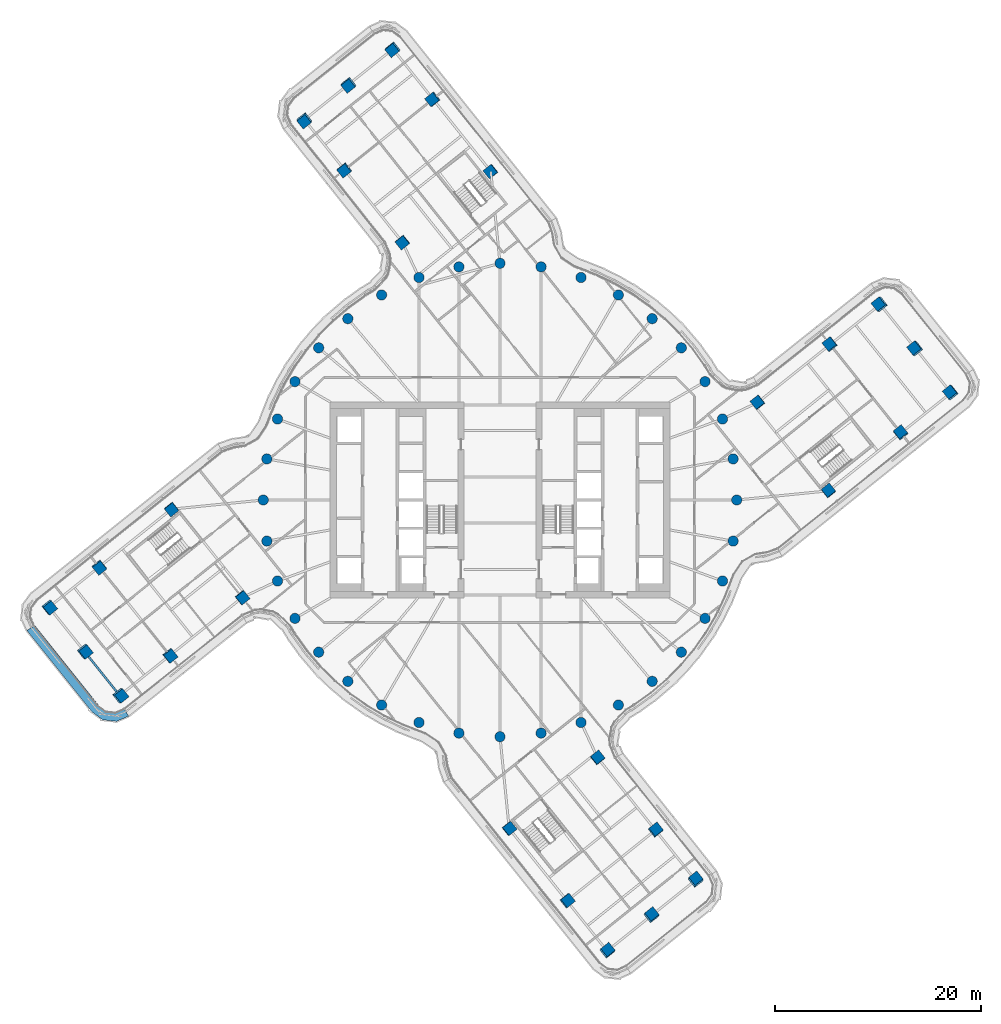
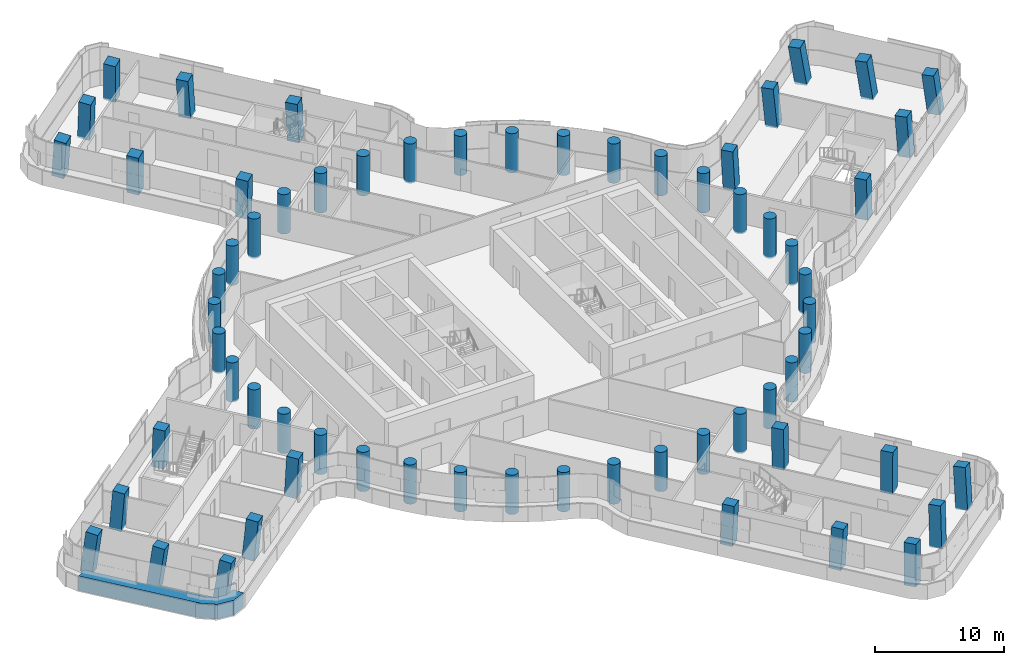
# One storey, part 1 of 31: 64 columns, 1 beam, 1 member, 1 element without a shape of its own.
"""IFC4 building model written with IfcOpenShell, lengths in metres."""

from ifc_helpers import new_model, si_unit, direction, frame, origin, origin_2d, place, context, subcontext, project, spatial, polyline, rectangle, circle, i_section, outline, extrude, material, layer, layer_set, material_profile, profile_set, type_object, element, aggregate, save


model = new_model("IFC4")

# Units and contexts
model_context = context("Model", 3, precision=1e-05, world=origin(), true_north=direction((0.0, 1.0)))
body_context = subcontext(model_context, "Body", "Model", "MODEL_VIEW")
ifc_project = project(units=[si_unit("LENGTHUNIT", "METRE"), si_unit("AREAUNIT", "SQUARE_METRE"), si_unit("VOLUMEUNIT", "CUBIC_METRE"), si_unit("PLANEANGLEUNIT", "RADIAN"), si_unit("MASSUNIT", "GRAM", prefix="KILO")], contexts=[model_context])

# Site, building, storey
site_placement = place(None, origin())
site = spatial("IfcSite", under=ifc_project, at=site_placement, CompositionType="ELEMENT")
building_placement = place(site_placement, origin())
building = spatial("IfcBuilding", under=site, at=building_placement, Name="Tamarind Cross Interchange Tower", CompositionType="ELEMENT")
storey_placement = place(building_placement, frame((0.0, 0.0, 174.25)))
storey = spatial("IfcBuildingStorey", under=building, at=storey_placement, Name="L43", CompositionType="ELEMENT", Elevation=174.25)

# Columns
ifc_material_1 = material(Name="Concrete C60", Category="concrete")
ifc_material_profile_1 = material_profile(ifc_material_1, rectangle(XDim=1.0, YDim=1.0, at=origin_2d()), Name="RC 1000x1000")
ifc_profile_set_1 = profile_set([ifc_material_profile_1], Name="Concrete C60")
column_type_1 = type_object("IfcColumnType", Name="Column RC 1000x1000 Concrete C60", PredefinedType="COLUMN", material=ifc_profile_set_1)
for number, where, z_axis, x_axis, name in (
    (1, (32.07373046875, 15.101806640625, -0.138427734375), (-0.074417174397, 0.048642131755, 0.996040173474), (0.621696196821, -0.778689641632, 0.084476510773), "Column L43-036"),
    (2, (38.945068359375, 6.511962890625, -0.138427734375), (-0.032648425493, 0.082678502615, 0.996041337254), (-0.781269198819, -0.623645872641, 0.026158450166), "Column L43-037"),
):
    element("IfcColumn", number, at=place(storey_placement, frame(where, z_axis=z_axis, x_axis=x_axis)), inside=storey, type_object=column_type_1, Name=name, PredefinedType="COLUMN", context=body_context, shape_type="SweptSolid", body=[
        extrude(rectangle(XDim=1.0, YDim=1.0, at=origin_2d()), origin(), (0.0, 0.0, 1.0), 3.694091796875),
    ])
for number, where, z_axis, x_axis, name in (
    (3, (25.045654296875, 9.479736328125, -0.138671875), (-0.04664661088, 0.014535771096, 0.998805689337), (0.623471160902, -0.780797686808, 0.040480659568), "Column L43-038"),
    (4, (31.9169921875, 0.889892578125, -0.138671875), (-0.004823231147, 0.048628741423, 0.998805277293), (-0.780795594874, -0.624219168188, 0.02662083941), "Column L43-039"),
):
    element("IfcColumn", number, at=place(storey_placement, frame(where, z_axis=z_axis, x_axis=x_axis)), inside=storey, type_object=column_type_1, Name=name, PredefinedType="COLUMN", context=body_context, shape_type="SweptSolid", body=[
        extrude(rectangle(XDim=1.0, YDim=1.0, at=origin_2d()), origin(), (0.0, 0.0, 1.0), 3.695068359375),
    ])
column_1_placement = place(storey_placement, frame((43.814453125, 10.4072265625, -0.13818359375), z_axis=(-0.106764118851, 0.060253017569, 0.992457050355), x_axis=(0.618495679922, -0.777513105357, 0.11373858147)))
element("IfcColumn", 5, at=column_1_placement, inside=storey, type_object=column_type_1, Name="Column L43-040", PredefinedType="COLUMN", context=body_context, shape_type="SweptSolid", body=[
    extrude(rectangle(XDim=1.0, YDim=1.0, at=origin_2d()), origin(), (0.0, 0.0, 1.0), 3.6953125),
])
column_2_placement = place(storey_placement, frame((40.378662109375, 14.7021484375, -0.137939453125), z_axis=(-0.127350566507, 0.043221209391, 0.990915617128), x_axis=(0.617415659329, -0.778434627455, 0.11330240242)))
element("IfcColumn", 6, at=column_2_placement, inside=storey, type_object=column_type_1, Name="Column L43-041", PredefinedType="COLUMN", context=body_context, shape_type="SweptSolid", body=[
    extrude(rectangle(XDim=1.0, YDim=1.0, at=origin_2d()), origin(), (0.0, 0.0, 1.0), 3.694091796875),
])
column_3_placement = place(storey_placement, frame((36.94287109375, 18.996826171875, -0.137939453125), z_axis=(-0.147759451277, 0.026288896562, 0.988673878726), x_axis=(0.616024207705, -0.77960966759, 0.112796018195)))
element("IfcColumn", 7, at=column_3_placement, inside=storey, type_object=column_type_1, Name="Column L43-042", PredefinedType="COLUMN", context=body_context, shape_type="SweptSolid", body=[
    extrude(rectangle(XDim=1.0, YDim=1.0, at=origin_2d()), origin(), (0.0, 0.0, 1.0), 3.696044921875),
])
column_4_placement = place(storey_placement, frame((-15.101806640625, 32.07373046875, -0.138427734375), z_axis=(-0.048600262779, -0.074410942876, 0.99604268284), x_axis=(0.778469593392, 0.621975340854, 0.084449792978)))
element("IfcColumn", 8, at=column_4_placement, inside=storey, type_object=column_type_1, Name="Column L43-043", PredefinedType="COLUMN", context=body_context, shape_type="SweptSolid", body=[
    extrude(rectangle(XDim=1.0, YDim=1.0, at=origin_2d()), origin(), (0.0, 0.0, 1.0), 3.71728515625),
])
column_5_placement = place(storey_placement, frame((-6.511962890625, 38.945068359375, -0.138427734375), z_axis=(-0.08263156344, -0.032645379197, 0.996045332272), x_axis=(0.623773642525, -0.781167630894, 0.026145273657)))
element("IfcColumn", 9, at=column_5_placement, inside=storey, type_object=column_type_1, Name="Column L43-044", PredefinedType="COLUMN", context=body_context, shape_type="SweptSolid", body=[
    extrude(rectangle(XDim=1.0, YDim=1.0, at=origin_2d()), origin(), (0.0, 0.0, 1.0), 3.716796875),
])
for number, where, z_axis, x_axis, name in (
    (10, (-9.479736328125, 25.045654296875, -0.138671875), (-0.014481164996, -0.046668845375, 0.998805443884), (0.780047471785, 0.624409257926, 0.040484816638), "Column L43-045"),
    (11, (-0.889892578125, 31.9169921875, -0.138671875), (-0.048643510807, -0.004805109999, 0.998804645451), (0.623907443279, -0.781044466446, 0.026627873635), "Column L43-046"),
):
    element("IfcColumn", number, at=place(storey_placement, frame(where, z_axis=z_axis, x_axis=x_axis)), inside=storey, type_object=column_type_1, Name=name, PredefinedType="COLUMN", context=body_context, shape_type="SweptSolid", body=[
        extrude(rectangle(XDim=1.0, YDim=1.0, at=origin_2d()), origin(), (0.0, 0.0, 1.0), 3.708984375),
    ])
column_6_placement = place(storey_placement, frame((-10.4072265625, 43.814453125, -0.13818359375), z_axis=(-0.060236073551, -0.106823886428, 0.992451647554), x_axis=(0.777288024238, 0.618771065533, 0.113779153781)))
element("IfcColumn", 12, at=column_6_placement, inside=storey, type_object=column_type_1, Name="Column L43-047", PredefinedType="COLUMN", context=body_context, shape_type="SweptSolid", body=[
    extrude(rectangle(XDim=1.0, YDim=1.0, at=origin_2d()), origin(), (0.0, 0.0, 1.0), 3.720703125),
])
column_7_placement = place(storey_placement, frame((-14.7021484375, 40.378662109375, -0.137939453125), z_axis=(-0.043228273768, -0.127392412848, 0.990909930062), x_axis=(0.778402065808, 0.617450232543, 0.113337700161)))
element("IfcColumn", 13, at=column_7_placement, inside=storey, type_object=column_type_1, Name="Column L43-048", PredefinedType="COLUMN", context=body_context, shape_type="SweptSolid", body=[
    extrude(rectangle(XDim=1.0, YDim=1.0, at=origin_2d()), origin(), (0.0, 0.0, 1.0), 3.7275390625),
])
column_8_placement = place(storey_placement, frame((-18.996826171875, 36.94287109375, -0.137939453125), z_axis=(-0.026261824308, -0.147771757676, 0.988672758913), x_axis=(0.77949125968, 0.616173014348, 0.112801562366)))
element("IfcColumn", 14, at=column_8_placement, inside=storey, type_object=column_type_1, Name="Column L43-049", PredefinedType="COLUMN", context=body_context, shape_type="SweptSolid", body=[
    extrude(rectangle(XDim=1.0, YDim=1.0, at=origin_2d()), origin(), (0.0, 0.0, 1.0), 3.737060546875),
])
column_9_placement = place(storey_placement, frame((-32.07373046875, -15.101806640625, -0.138427734375), z_axis=(0.074410942876, -0.048600262779, 0.99604268284), x_axis=(-0.621975340854, 0.778469593392, 0.084449792978)))
element("IfcColumn", 15, at=column_9_placement, inside=storey, type_object=column_type_1, Name="Column L43-050", PredefinedType="COLUMN", context=body_context, shape_type="SweptSolid", body=[
    extrude(rectangle(XDim=1.0, YDim=1.0, at=origin_2d()), origin(), (0.0, 0.0, 1.0), 3.71728515625),
])
column_10_placement = place(storey_placement, frame((-38.945068359375, -6.511962890625, -0.138427734375), z_axis=(0.032645379197, -0.08263156344, 0.996045332272), x_axis=(0.781167630894, 0.623773642525, 0.026145273657)))
element("IfcColumn", 16, at=column_10_placement, inside=storey, type_object=column_type_1, Name="Column L43-051", PredefinedType="COLUMN", context=body_context, shape_type="SweptSolid", body=[
    extrude(rectangle(XDim=1.0, YDim=1.0, at=origin_2d()), origin(), (0.0, 0.0, 1.0), 3.716796875),
])
for number, where, z_axis, x_axis, name in (
    (17, (-25.045654296875, -9.479736328125, -0.138671875), (0.046668845375, -0.014481164996, 0.998805443884), (-0.624409257926, 0.780047471785, 0.040484816638), "Column L43-052"),
    (18, (-31.9169921875, -0.889892578125, -0.138671875), (0.004805109999, -0.048643510807, 0.998804645451), (0.781044466446, 0.623907443279, 0.026627873635), "Column L43-053"),
):
    element("IfcColumn", number, at=place(storey_placement, frame(where, z_axis=z_axis, x_axis=x_axis)), inside=storey, type_object=column_type_1, Name=name, PredefinedType="COLUMN", context=body_context, shape_type="SweptSolid", body=[
        extrude(rectangle(XDim=1.0, YDim=1.0, at=origin_2d()), origin(), (0.0, 0.0, 1.0), 3.708984375),
    ])
column_11_placement = place(storey_placement, frame((-43.814453125, -10.4072265625, -0.13818359375), z_axis=(0.106823886428, -0.060236073551, 0.992451647554), x_axis=(-0.618771065533, 0.777288024238, 0.113779153781)))
element("IfcColumn", 19, at=column_11_placement, inside=storey, type_object=column_type_1, Name="Column L43-054", PredefinedType="COLUMN", context=body_context, shape_type="SweptSolid", body=[
    extrude(rectangle(XDim=1.0, YDim=1.0, at=origin_2d()), origin(), (0.0, 0.0, 1.0), 3.720703125),
])
column_12_placement = place(storey_placement, frame((-40.378662109375, -14.7021484375, -0.137939453125), z_axis=(0.127392412848, -0.043228273768, 0.990909930062), x_axis=(-0.617450232543, 0.778402065808, 0.113337700161)))
element("IfcColumn", 20, at=column_12_placement, inside=storey, type_object=column_type_1, Name="Column L43-055", PredefinedType="COLUMN", context=body_context, shape_type="SweptSolid", body=[
    extrude(rectangle(XDim=1.0, YDim=1.0, at=origin_2d()), origin(), (0.0, 0.0, 1.0), 3.7275390625),
])
column_13_placement = place(storey_placement, frame((-36.94287109375, -18.996826171875, -0.137939453125), z_axis=(0.147771757676, -0.026261824308, 0.988672758913), x_axis=(-0.616173014348, 0.77949125968, 0.112801562366)))
element("IfcColumn", 21, at=column_13_placement, inside=storey, type_object=column_type_1, Name="Column L43-056", PredefinedType="COLUMN", context=body_context, shape_type="SweptSolid", body=[
    extrude(rectangle(XDim=1.0, YDim=1.0, at=origin_2d()), origin(), (0.0, 0.0, 1.0), 3.737060546875),
])
column_14_placement = place(storey_placement, frame((15.101806640625, -32.07373046875, -0.138427734375), z_axis=(0.048600262779, 0.074410942876, 0.99604268284), x_axis=(-0.778469593392, -0.621975340854, 0.084449792978)))
element("IfcColumn", 22, at=column_14_placement, inside=storey, type_object=column_type_1, Name="Column L43-057", PredefinedType="COLUMN", context=body_context, shape_type="SweptSolid", body=[
    extrude(rectangle(XDim=1.0, YDim=1.0, at=origin_2d()), origin(), (0.0, 0.0, 1.0), 3.71728515625),
])
column_15_placement = place(storey_placement, frame((6.511962890625, -38.945068359375, -0.138427734375), z_axis=(0.08263156344, 0.032645379197, 0.996045332272), x_axis=(-0.623773642525, 0.781167630894, 0.026145273657)))
element("IfcColumn", 23, at=column_15_placement, inside=storey, type_object=column_type_1, Name="Column L43-058", PredefinedType="COLUMN", context=body_context, shape_type="SweptSolid", body=[
    extrude(rectangle(XDim=1.0, YDim=1.0, at=origin_2d()), origin(), (0.0, 0.0, 1.0), 3.716796875),
])
for number, where, z_axis, x_axis, name in (
    (24, (9.479736328125, -25.045654296875, -0.138671875), (0.014481164996, 0.046668845375, 0.998805443884), (-0.780047471785, -0.624409257926, 0.040484816638), "Column L43-059"),
    (25, (0.889892578125, -31.9169921875, -0.138671875), (0.048643510807, 0.004805109999, 0.998804645451), (-0.623907443279, 0.781044466446, 0.026627873635), "Column L43-060"),
):
    element("IfcColumn", number, at=place(storey_placement, frame(where, z_axis=z_axis, x_axis=x_axis)), inside=storey, type_object=column_type_1, Name=name, PredefinedType="COLUMN", context=body_context, shape_type="SweptSolid", body=[
        extrude(rectangle(XDim=1.0, YDim=1.0, at=origin_2d()), origin(), (0.0, 0.0, 1.0), 3.708984375),
    ])
column_16_placement = place(storey_placement, frame((10.4072265625, -43.814453125, -0.13818359375), z_axis=(0.060236073551, 0.106823886428, 0.992451647554), x_axis=(-0.777288024238, -0.618771065533, 0.113779153781)))
element("IfcColumn", 26, at=column_16_placement, inside=storey, type_object=column_type_1, Name="Column L43-061", PredefinedType="COLUMN", context=body_context, shape_type="SweptSolid", body=[
    extrude(rectangle(XDim=1.0, YDim=1.0, at=origin_2d()), origin(), (0.0, 0.0, 1.0), 3.720703125),
])
column_17_placement = place(storey_placement, frame((14.7021484375, -40.378662109375, -0.137939453125), z_axis=(0.043228273768, 0.127392412848, 0.990909930062), x_axis=(-0.778402065808, -0.617450232543, 0.113337700161)))
element("IfcColumn", 27, at=column_17_placement, inside=storey, type_object=column_type_1, Name="Column L43-062", PredefinedType="COLUMN", context=body_context, shape_type="SweptSolid", body=[
    extrude(rectangle(XDim=1.0, YDim=1.0, at=origin_2d()), origin(), (0.0, 0.0, 1.0), 3.7275390625),
])
column_18_placement = place(storey_placement, frame((18.996826171875, -36.94287109375, -0.137939453125), z_axis=(0.026261824308, 0.147771757676, 0.988672758913), x_axis=(-0.77949125968, -0.616173014348, 0.112801562366)))
element("IfcColumn", 28, at=column_18_placement, inside=storey, type_object=column_type_1, Name="Column L43-063", PredefinedType="COLUMN", context=body_context, shape_type="SweptSolid", body=[
    extrude(rectangle(XDim=1.0, YDim=1.0, at=origin_2d()), origin(), (0.0, 0.0, 1.0), 3.737060546875),
])
ifc_material_profile_2 = material_profile(ifc_material_1, circle(Radius=0.5, at=origin_2d()), Name="RC D1000")
ifc_profile_set_2 = profile_set([ifc_material_profile_2], Name="Concrete C60")
column_type_2 = type_object("IfcColumnType", Name="Column RC D1000 Concrete C60", PredefinedType="COLUMN", material=ifc_profile_set_2)
for number, where, z_axis, x_axis, name in (
    (29, (23.0, 0.0, -0.139892578125), (0.0, 0.0, 1.0), (1.0, 0.0, 0.0), "Column L43-000"),
    (30, (22.650634765625, 3.993896484375, -0.139892578125), (0.0, 0.0, 1.0), (1.0, 0.0, 0.0), "Column L43-001"),
    (31, (21.613037109375, 7.866455078125, -0.139892578125), (0.0, 0.0, 1.0), (1.0, 0.0, 0.0), "Column L43-002"),
    (32, (19.918701171875, 11.5, -0.139892578125), (0.0, 0.0, 1.0), (1.0, 0.0, 0.0), "Column L43-003"),
    (33, (17.619140625, 14.7841796875, -0.139892578125), (0.0, 0.0, 1.0), (1.0, 0.0, 0.0), "Column L43-004"),
    (34, (14.7841796875, 17.619140625, -0.139892578125), (0.0, 0.0, 1.0), (1.0, 0.0, 0.0), "Column L43-005"),
    (35, (11.5, 19.918701171875, -0.139892578125), (0.0, 0.0, 1.0), (1.0, 0.0, 0.0), "Column L43-006"),
    (36, (7.866455078125, 21.613037109375, -0.139892578125), (0.0, 0.0, 1.0), (1.0, 0.0, 0.0), "Column L43-007"),
    (37, (3.993896484375, 22.650634765625, -0.139892578125), (0.0, 0.0, 1.0), (1.0, 0.0, 0.0), "Column L43-008"),
    (38, (0.0, 23.0, -0.139892578125), (0.0, 0.0, 1.0), (1.0, 0.0, 0.0), "Column L43-009"),
    (39, (-3.993896484375, 22.650634765625, -0.139892578125), (0.0, 0.0, 1.0), (1.0, 0.0, 0.0), "Column L43-010"),
    (40, (-7.866455078125, 21.613037109375, -0.139892578125), (0.0, 0.0, 1.0), (1.0, 0.0, 0.0), "Column L43-011"),
    (41, (-11.5, 19.918701171875, -0.139892578125), (0.0, 0.0, 1.0), (1.0, 0.0, 0.0), "Column L43-012"),
    (42, (-14.7841796875, 17.619140625, -0.139892578125), (0.0, 0.0, 1.0), (1.0, 0.0, 0.0), "Column L43-013"),
    (43, (-17.619140625, 14.7841796875, -0.139892578125), (0.0, 0.0, 1.0), (1.0, 0.0, 0.0), "Column L43-014"),
    (44, (-19.918701171875, 11.5, -0.139892578125), (0.0, 0.0, 1.0), (1.0, 0.0, 0.0), "Column L43-015"),
    (45, (-21.613037109375, 7.866455078125, -0.139892578125), (0.0, 0.0, 1.0), (1.0, 0.0, 0.0), "Column L43-016"),
    (46, (-22.650634765625, 3.993896484375, -0.139892578125), (0.0, 0.0, 1.0), (1.0, 0.0, 0.0), "Column L43-017"),
    (47, (-23.0, 0.0, -0.139892578125), (0.0, 0.0, 1.0), (1.0, 0.0, 0.0), "Column L43-018"),
    (48, (-22.650634765625, -3.993896484375, -0.139892578125), (0.0, 0.0, 1.0), (1.0, 0.0, 0.0), "Column L43-019"),
    (49, (-21.613037109375, -7.866455078125, -0.139892578125), (0.0, 0.0, 1.0), (1.0, 0.0, 0.0), "Column L43-020"),
    (50, (-19.918701171875, -11.5, -0.139892578125), (0.0, 0.0, 1.0), (1.0, 0.0, 0.0), "Column L43-021"),
    (51, (-17.619140625, -14.7841796875, -0.139892578125), (0.0, 0.0, 1.0), (1.0, 0.0, 0.0), "Column L43-022"),
    (52, (-14.7841796875, -17.619140625, -0.139892578125), (0.0, 0.0, 1.0), (1.0, 0.0, 0.0), "Column L43-023"),
    (53, (-11.5, -19.918701171875, -0.139892578125), (0.0, 0.0, 1.0), (1.0, 0.0, 0.0), "Column L43-024"),
    (54, (-7.866455078125, -21.613037109375, -0.139892578125), (0.0, 0.0, 1.0), (1.0, 0.0, 0.0), "Column L43-025"),
    (55, (-3.993896484375, -22.650634765625, -0.139892578125), (0.0, 0.0, 1.0), (1.0, 0.0, 0.0), "Column L43-026"),
    (56, (0.0, -23.0, -0.139892578125), (0.0, 0.0, 1.0), (1.0, 0.0, 0.0), "Column L43-027"),
    (57, (3.993896484375, -22.650634765625, -0.139892578125), (0.0, 0.0, 1.0), (1.0, 0.0, 0.0), "Column L43-028"),
    (58, (7.866455078125, -21.613037109375, -0.139892578125), (0.0, 0.0, 1.0), (1.0, 0.0, 0.0), "Column L43-029"),
    (59, (11.5, -19.918701171875, -0.139892578125), (0.0, 0.0, 1.0), (1.0, 0.0, 0.0), "Column L43-030"),
    (60, (14.7841796875, -17.619140625, -0.139892578125), (0.0, 0.0, 1.0), (1.0, 0.0, 0.0), "Column L43-031"),
    (61, (17.619140625, -14.7841796875, -0.139892578125), (0.0, 0.0, 1.0), (1.0, 0.0, 0.0), "Column L43-032"),
    (62, (19.918701171875, -11.5, -0.139892578125), (0.0, 0.0, 1.0), (1.0, 0.0, 0.0), "Column L43-033"),
    (63, (21.613037109375, -7.866455078125, -0.139892578125), (0.0, 0.0, 1.0), (1.0, 0.0, 0.0), "Column L43-034"),
    (64, (22.650634765625, -3.993896484375, -0.139892578125), (0.0, 0.0, 1.0), (1.0, 0.0, 0.0), "Column L43-035"),
):
    element("IfcColumn", number, at=place(storey_placement, frame(where, z_axis=z_axis, x_axis=x_axis)), inside=storey, type_object=column_type_2, Name=name, PredefinedType="COLUMN", context=body_context, shape_type="SweptSolid", body=[
        extrude(circle(Radius=0.5, at=origin_2d()), origin(), (0.0, 0.0, 1.0), 3.7099609375),
    ])

# Beam
ifc_material_2 = material(Name="Steel Q355B", Category="steel")
ifc_material_profile_3 = material_profile(ifc_material_2, i_section(OverallWidth=0.199951171875, OverallDepth=0.60009765625, WebThickness=0.010986328125, FlangeThickness=0.01708984375, FilletRadius=0.012939453125, at=origin_2d()), Name="HN 600x200x11x17")
ifc_profile_set_3 = profile_set([ifc_material_profile_3], Name="Steel Q355B")
beam_type = type_object("IfcBeamType", Name="Composite beam HN 600x200x11x17 Q355B", PredefinedType="BEAM", material=ifc_profile_set_3)
beam_placement = place(storey_placement, frame((-40.37890625, -14.701904296875, -0.43994140625), z_axis=(0.624651739578, -0.780903453855, 0.0), x_axis=(0.780903453855, 0.624651739578, 0.0)))
element("IfcBeam", 65, at=beam_placement, inside=storey, type_object=beam_type, Name="Beam W-tip1", PredefinedType="BEAM", context=body_context, shape_type="SweptSolid", body=[
    extrude(i_section(OverallWidth=0.199951171875, OverallDepth=0.60009765625, WebThickness=0.010986328125, FlangeThickness=0.01708984375, FilletRadius=0.012939453125, at=origin_2d()), origin(), (0.0, 0.0, 1.0), 5.5),
])

# Curtain wall, member
ifc_material_3 = material(Name="Aluminium 6063-T6", Category="aluminium")
ifc_layer = layer(ifc_material_3, 0.159912109375)
ifc_layer_set = layer_set([ifc_layer], Name="Aluminium 6063-T6")
curtain_wall_type = type_object("IfcCurtainWallType", Name="Office curtain wall, 9.0 m bays", PredefinedType="NOTDEFINED", material=ifc_layer_set)
curtain_wall_placement = place(storey_placement, origin())
curtain_wall = element("IfcCurtainWall", 66, at=curtain_wall_placement, inside=storey, type_object=curtain_wall_type, Name="CWS-L43-00", PredefinedType="NOTDEFINED")
ifc_material_4 = material(Name="Aluminium and insulated spandrel panel", Category="aluminium")
member_type = type_object("IfcMemberType", Name="Floor-edge blade transom", PredefinedType="USERDEFINED", material=ifc_material_4)
member_placement = place(storey_placement, origin())
member = element("IfcMember", 67, at=member_placement, type_object=member_type, Name="CWT-L43-00", ObjectType="TRANSOM", PredefinedType="USERDEFINED", context=body_context, shape_type="SweptSolid", body=[
    extrude(outline(polyline([(-45.193603515625, -12.201171875), (-38.996337890625, -19.9482421875), (-38.259033203125, -20.49072265625), (-37.389892578125, -20.58740234375), (-36.551025390625, -20.219970703125), (-36.08251953125, -20.997314453125), (-37.24951171875, -21.508544921875), (-38.59814453125, -21.358642578125), (-39.625, -20.60302734375), (-45.970458984375, -12.670654296875), (-45.193603515625, -12.201171875)])), origin(), (0.0, 0.0, 1.0), 1.39990234375),
])
aggregate(curtain_wall, [member])

save(model, "model.ifc")
